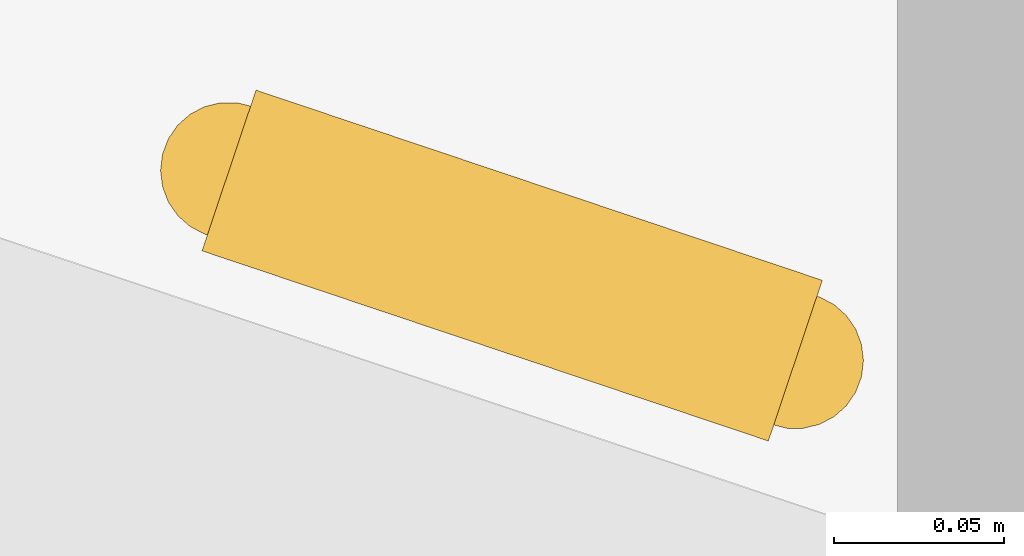
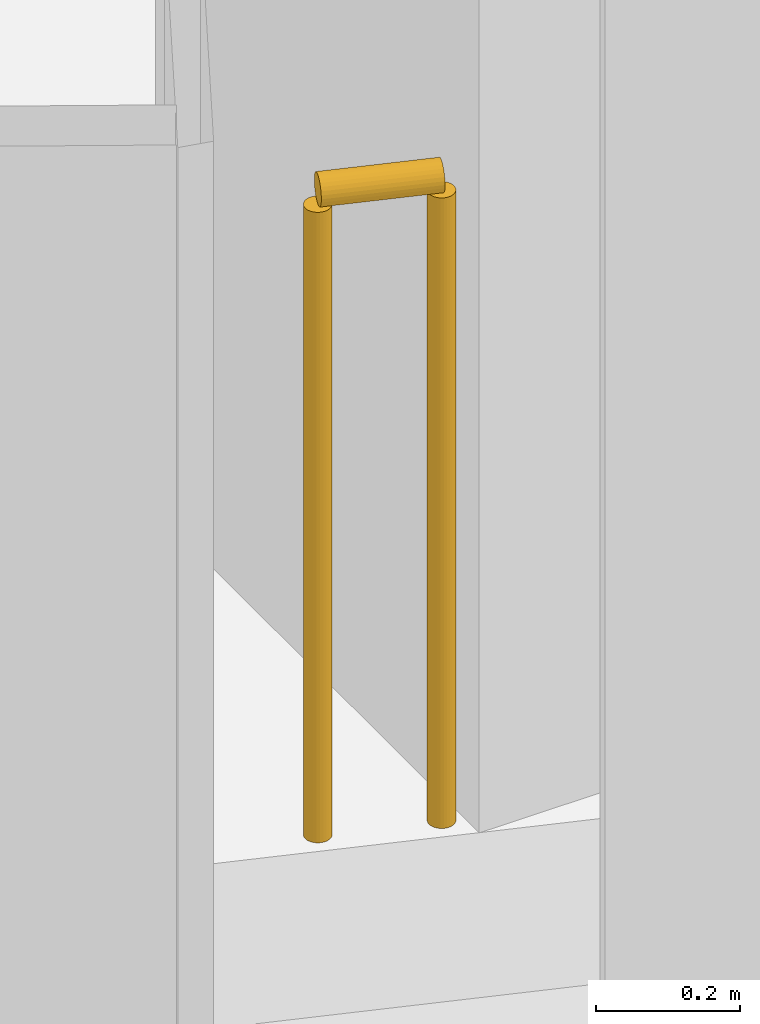
# One storey, part 29 of 32: 1 railing.
"""IFC4 building model written with IfcOpenShell, lengths in metres."""

import ifcopenshell
import ifcopenshell.guid

model = None  # the IFC model being written
_history = None  # IfcOwnerHistory: only IFC2X3 demands one
_inside = {}  # id of a spatial element -> (the spatial element, [elements in it])
_under = {}  # id of a project, library or spatial element -> (it, [spatial elements below it])
_declared = {}  # id of a project -> (the project, [libraries it declares])
_typed = {}  # id of a type object -> (the type object, [elements of that type])
_made_of = {}  # id of a material, layer set ... -> (it, [elements and type objects made of it])


def new_model(schema):
    """Start an empty IFC model of exactly this schema.

    Asked for "IFC4X3", IfcOpenShell would pick the latest addendum, in which some entities
    have other attributes; the version numbers below select the first issue.
    IFC2X3 requires an IfcOwnerHistory on every rooted entity: one is made here for all.
    """
    global model, _history
    if schema == "IFC4X3":
        model = ifcopenshell.file(schema_version=(4, 3, 0, 0))
    else:
        model = ifcopenshell.file(schema=schema)
    _inside.clear()
    _under.clear()
    _declared.clear()
    _typed.clear()
    _made_of.clear()
    _history = None
    if model.schema == "IFC2X3":
        org = make("IfcOrganization", Name="unknown")
        user = make(
            "IfcPersonAndOrganization",
            ThePerson=make("IfcPerson", FamilyName="unknown"),
            TheOrganization=org,
        )
        app = make(
            "IfcApplication",
            ApplicationDeveloper=org,
            Version="unknown",
            ApplicationFullName="unknown",
            ApplicationIdentifier="unknown",
        )
        _history = make(
            "IfcOwnerHistory",
            OwningUser=user,
            OwningApplication=app,
            ChangeAction="ADDED",
            CreationDate=0,
        )
    return model


def make(cls, **values):
    """One entity of the class cls with the attributes given. An attribute that is None is left unset."""
    return model.create_entity(
        cls, **{name: value for name, value in values.items() if value is not None}
    )


def rooted(cls, **values):
    """An entity with a GlobalId (a new one), such as an element, a storey or a relation."""
    return make(cls, GlobalId=ifcopenshell.guid.new(), OwnerHistory=_history, **values)


def si_unit(unit_type, name, prefix=None):
    """IfcSIUnit, for example si_unit("LENGTHUNIT", "METRE", prefix="MILLI")."""
    return make("IfcSIUnit", UnitType=unit_type, Prefix=prefix, Name=name)


def assignment(units):
    """IfcUnitAssignment: the units of a project."""
    return None if units is None else make("IfcUnitAssignment", Units=units)


def point(xyz):
    """IfcCartesianPoint."""
    return None if xyz is None else make("IfcCartesianPoint", Coordinates=xyz)


def direction(xyz):
    """IfcDirection."""
    return None if xyz is None else make("IfcDirection", DirectionRatios=xyz)


def frame(location, z_axis=None, x_axis=None):
    """IfcAxis2Placement3D, a coordinate frame: its origin and axes. An axis left out is left unset."""
    return make(
        "IfcAxis2Placement3D",
        Location=point(location),
        Axis=direction(z_axis),
        RefDirection=direction(x_axis),
    )


def frame_2d(location, x_axis=None):
    """IfcAxis2Placement2D, a coordinate frame in the plane: its origin and x axis."""
    return make(
        "IfcAxis2Placement2D", Location=point(location), RefDirection=direction(x_axis)
    )


def origin():
    """The frame at (0, 0, 0) with its axes left unset."""
    return frame((0.0, 0.0, 0.0))


def origin_2d():
    """The frame at (0, 0) in the plane with its x axis left unset."""
    return frame_2d((0.0, 0.0))


def place(relative_to, where):
    """IfcLocalPlacement: puts the frame where relative to a parent placement (None: the world)."""
    return make(
        "IfcLocalPlacement", PlacementRelTo=relative_to, RelativePlacement=where
    )


def context(
    kind, dimensions, precision=None, world=None, true_north=None, identifier=None
):
    """IfcGeometricRepresentationContext, for example the 3D "Model" context."""
    return make(
        "IfcGeometricRepresentationContext",
        ContextIdentifier=identifier,
        ContextType=kind,
        CoordinateSpaceDimension=dimensions,
        Precision=precision,
        WorldCoordinateSystem=world,
        TrueNorth=true_north,
    )


def subcontext(parent, identifier, kind, view, scale=None):
    """IfcGeometricRepresentationSubContext, for example "Body" below "Model"."""
    return make(
        "IfcGeometricRepresentationSubContext",
        ContextIdentifier=identifier,
        ContextType=kind,
        ParentContext=parent,
        TargetScale=scale,
        TargetView=view,
    )


def project(units=None, contexts=None):
    """IfcProject with its units and contexts."""
    return rooted(
        "IfcProject",
        Name="project",
        RepresentationContexts=contexts,
        UnitsInContext=assignment(units),
    )


def spatial(cls, under=None, at=None, **own):
    """A site, building, storey or space (cls), placed at a placement, below another one or the project."""
    s = rooted(cls, ObjectPlacement=at, **own)
    if under is not None:
        _under.setdefault(under.id(), (under, []))[1].append(s)
    return s


def profile(cls, at=None, kind="AREA", **sizes):
    """A parametric profile (cls). Its sizes go by their IFC names, for example OverallWidth=200.0."""
    return make(cls, ProfileType=kind, Position=at, **sizes)


def circle(**sizes):
    """IfcCircleProfileDef."""
    return profile("IfcCircleProfileDef", **sizes)


def extrude(swept, where, along, depth):
    """IfcExtrudedAreaSolid: the profile swept, set in the frame where, extruded along a direction by depth."""
    return make(
        "IfcExtrudedAreaSolid",
        SweptArea=swept,
        Position=where,
        ExtrudedDirection=direction(along),
        Depth=depth,
    )


def shape(context_of_items, identifier, shape_type, items):
    """IfcShapeRepresentation: the items that make up one representation, for example the "Body"."""
    return make(
        "IfcShapeRepresentation",
        ContextOfItems=context_of_items,
        RepresentationIdentifier=identifier,
        RepresentationType=shape_type,
        Items=items,
    )


def material(Name=None, Category=None):
    """IfcMaterial."""
    return make("IfcMaterial", Name=Name, Category=Category)


def made_of(thing, what):
    """Note that an element or type object is made of a material, layer set ...; save() writes the relation."""
    if what is not None:
        _made_of.setdefault(what.id(), (what, []))[1].append(thing)
    return thing


def type_object(cls, material=None, **own):
    """A type object (cls), such as IfcWallType, which elements share."""
    return made_of(rooted(cls, **own), material)


def element(
    cls,
    number,
    at=None,
    inside=None,
    cuts=None,
    type_object=None,
    material=None,
    context=None,
    identifier="Body",
    shape_type=None,
    held_by="IfcProductDefinitionShape",
    body=None,
    shapes=None,
    **own,
):
    """One element of the class cls, such as IfcWall. Its Tag is "e" and its number.

    at: its placement. inside: the storey or other place that contains it. cuts: it is an
    opening in that element (IfcRelVoidsElement). A single representation is given by context,
    identifier, shape_type and body (its items); several are given by shapes. held_by: the class
    of the entity that holds the representations. save() writes the other relations.
    """
    e = rooted(cls, Tag="e%d" % number, ObjectPlacement=at, **own)
    if body is not None:
        shapes = [shape(context, identifier, shape_type, body)]
    if shapes is not None:
        e.Representation = make(held_by, Representations=shapes)
    if inside is not None:
        _inside.setdefault(inside.id(), (inside, []))[1].append(e)
    if cuts is not None:
        rooted(
            "IfcRelVoidsElement", RelatingBuildingElement=cuts, RelatedOpeningElement=e
        )
    if type_object is not None:
        _typed.setdefault(type_object.id(), (type_object, []))[1].append(e)
    return made_of(e, material)


def aggregate(whole, parts):
    """IfcRelAggregates: a whole, such as a stair, and the parts it consists of."""
    return rooted("IfcRelAggregates", RelatingObject=whole, RelatedObjects=parts)


def save(model, path):
    """Write the relations noted so far, then the file.

    IfcRelAggregates (storeys below a building ...), IfcRelContainedInSpatialStructure (elements
    in a storey), IfcRelDefinesByType, IfcRelAssociatesMaterial and IfcRelDeclares: one each for
    every whole, place, type object, material and project.
    """
    for whole, parts in _under.values():
        aggregate(whole, parts)
    for where, things in _inside.values():
        rooted(
            "IfcRelContainedInSpatialStructure",
            RelatedElements=things,
            RelatingStructure=where,
        )
    for kind, things in _typed.values():
        rooted("IfcRelDefinesByType", RelatedObjects=things, RelatingType=kind)
    for what, things in _made_of.values():
        rooted("IfcRelAssociatesMaterial", RelatedObjects=things, RelatingMaterial=what)
    for by, libraries in _declared.values():
        rooted("IfcRelDeclares", RelatingContext=by, RelatedDefinitions=libraries)
    model.write(path)


model = new_model("IFC4")

# Units and contexts
model_context = context("Model", 3, precision=1e-05, world=origin(), true_north=direction((0.0, 1.0)))
body_context = subcontext(model_context, "Body", "Model", "MODEL_VIEW")
ifc_project = project(units=[si_unit("LENGTHUNIT", "METRE"), si_unit("AREAUNIT", "SQUARE_METRE"), si_unit("VOLUMEUNIT", "CUBIC_METRE"), si_unit("PLANEANGLEUNIT", "RADIAN"), si_unit("MASSUNIT", "GRAM", prefix="KILO")], contexts=[model_context])

# Site, building, storey
site_placement = place(None, origin())
site = spatial("IfcSite", under=ifc_project, at=site_placement, CompositionType="ELEMENT")
building_placement = place(site_placement, origin())
building = spatial("IfcBuilding", under=site, at=building_placement, Name="Orlundy Tower", CompositionType="ELEMENT")
storey_placement = place(building_placement, frame((0.0, 0.0, 149.10009765625)))
storey = spatial("IfcBuildingStorey", under=building, at=storey_placement, Name="L38", CompositionType="ELEMENT", Elevation=149.10009765625)

# Railing
ifc_material = material(Name="Stainless steel bronze finish", Category="steel")
railing_type = type_object("IfcRailingType", Name="TG1 terrace guard", PredefinedType="GUARDRAIL", material=ifc_material)
railing_placement = place(storey_placement, frame((-28.468017578125, -53.17529296875, 0.0)))
element("IfcRailing", 1, at=railing_placement, inside=storey, type_object=railing_type, Name="Guard TG-L38-E00", PredefinedType="GUARDRAIL", context=body_context, shape_type="SweptSolid", body=[
    extrude(circle(Radius=0.02490234375, at=origin_2d()), frame((0.0, 0.0, 1.09521484375), z_axis=(-0.947986002429, 0.318312015478, 0.0), x_axis=(-0.318312015478, -0.947986002429, 0.0)), (0.0, 0.0, 1.0), 0.175537109375),
    extrude(circle(Radius=0.02001953125, at=origin_2d()), origin(), (0.0, 0.0, 1.0), 1.070068359375),
    extrude(circle(Radius=0.02001953125, at=origin_2d()), frame((-0.16650390625, 0.055908203125, 0.0)), (0.0, 0.0, 1.0), 1.070068359375),
])

save(model, "model.ifc")
